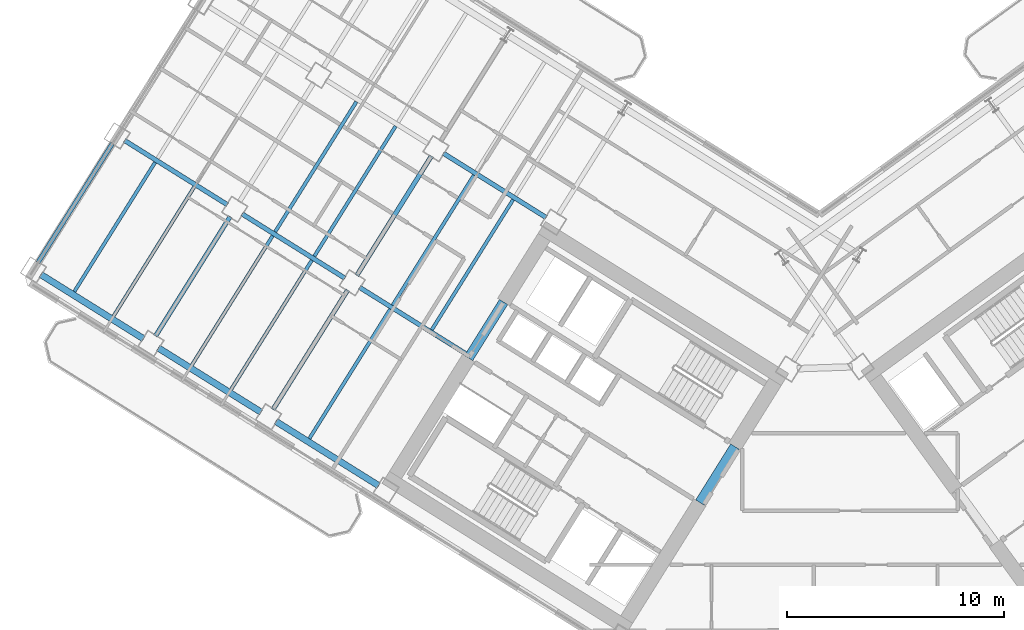
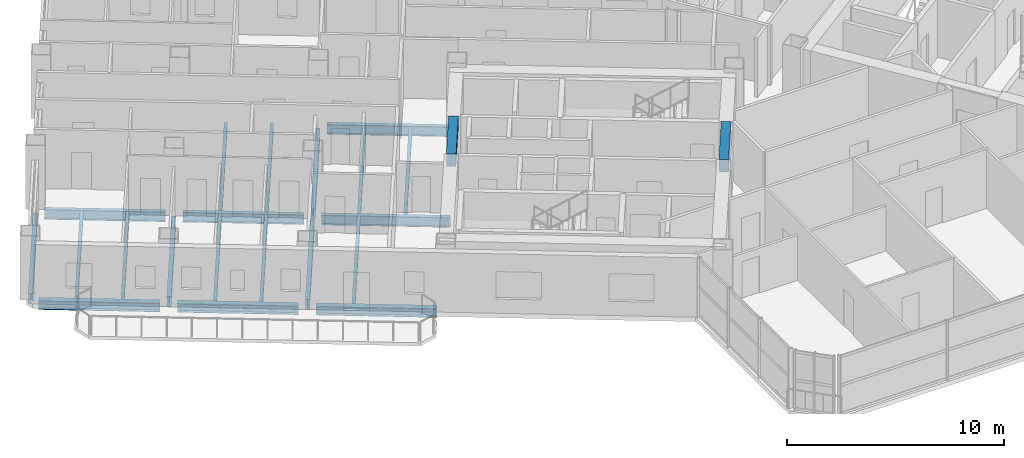
# One storey, part 5 of 21: 22 beams.
"""IFC4 building model written with IfcOpenShell, lengths in metres."""

from ifc_helpers import new_model, si_unit, direction, frame, origin, origin_2d, place, context, subcontext, project, spatial, rectangle, i_section, extrude, source, transform, mapped, material, material_profile, profile_set, type_object, element, save


model = new_model("IFC4")

# Units and contexts
model_context = context("Model", 3, precision=1e-05, world=origin(), true_north=direction((0.0, 1.0)))
body_context = subcontext(model_context, "Body", "Model", "MODEL_VIEW")
ifc_project = project(units=[si_unit("LENGTHUNIT", "METRE"), si_unit("AREAUNIT", "SQUARE_METRE"), si_unit("VOLUMEUNIT", "CUBIC_METRE"), si_unit("PLANEANGLEUNIT", "RADIAN"), si_unit("MASSUNIT", "GRAM", prefix="KILO")], contexts=[model_context])

# Site, building, storey
site_placement = place(None, origin())
site = spatial("IfcSite", under=ifc_project, at=site_placement, CompositionType="ELEMENT")
building_placement = place(site_placement, origin())
building = spatial("IfcBuilding", under=site, at=building_placement, Name="Tlacorven Tower", CompositionType="ELEMENT")
storey_placement = place(building_placement, frame((0.0, 0.0, 90.0)))
storey = spatial("IfcBuildingStorey", under=building, at=storey_placement, Name="L22", CompositionType="ELEMENT", Elevation=90.0)

# Beams
ifc_material_1 = material(Name="Concrete C60/75", Category="concrete")
ifc_material_profile_1 = material_profile(ifc_material_1, rectangle(XDim=0.449951171875, YDim=0.699951171875, at=origin_2d()), Name="RC 450X700")
ifc_profile_set_1 = profile_set([ifc_material_profile_1], Name="Concrete C60/75")
beam_type_1 = type_object("IfcBeamType", Name="BM-LNT-700", PredefinedType="LINTEL", material=ifc_profile_set_1)
shared_shape_1 = source(origin(), body_context, "Body", "SweptSolid", [
    extrude(rectangle(XDim=0.449951171875, YDim=0.699951171875, at=origin_2d()), origin(), (0.0, 0.0, 1.0), 3.050048828125),
])
beam_1_placement = place(storey_placement, frame((38.2998046875, 20.890625, 3.0), z_axis=(-0.529984549635, -0.848007297815, 0.0), x_axis=(0.848007297815, -0.529984549635, 0.0)))
element("IfcBeam", 1, at=beam_1_placement, inside=storey, type_object=beam_type_1, Name="L22 W core coupling lintel beam E1", PredefinedType="LINTEL", context=body_context, shape_type="MappedRepresentation", body=[
    mapped(shared_shape_1, transform((0.0, 0.0, 0.0), scale=1.0)),
])
shared_shape_2 = source(origin(), body_context, "Body", "SweptSolid", [
    extrude(rectangle(XDim=0.449951171875, YDim=0.699951171875, at=origin_2d()), origin(), (0.0, 0.0, 1.0), 3.0498046875),
])
beam_2_placement = place(storey_placement, frame((27.622802734375, 27.562255859375, 3.0), z_axis=(-0.529926983584, -0.848043272522, 0.0), x_axis=(0.848043272522, -0.529926983584, 0.0)))
element("IfcBeam", 2, at=beam_2_placement, inside=storey, type_object=beam_type_1, Name="L22 W core coupling lintel beam E2", PredefinedType="LINTEL", context=body_context, shape_type="MappedRepresentation", body=[
    mapped(shared_shape_2, transform((0.0, 0.0, 0.0), scale=1.0)),
])
ifc_material_2 = material(Name="Steel S355J2", Category="steel")
ifc_material_profile_2 = material_profile(ifc_material_2, i_section(OverallWidth=0.2099609375, OverallDepth=0.550048828125, WebThickness=0.010986328125, FlangeThickness=0.01708984375, at=origin_2d()), Name="IPE 550")
ifc_profile_set_2 = profile_set([ifc_material_profile_2], Name="Steel S355J2")
beam_type_2 = type_object("IfcBeamType", Name="BM-TWR-550", PredefinedType="BEAM", material=ifc_profile_set_2)
shared_shape_3 = source(origin(), body_context, "Body", "SweptSolid", [
    extrude(i_section(OverallWidth=0.2099609375, OverallDepth=0.550048828125, WebThickness=0.010986328125, FlangeThickness=0.01708984375, at=origin_2d()), origin(), (0.0, 0.0, 1.0), 5.599853515625),
])
for number, where, z_axis, x_axis, name in (
    (3, (29.588623046875, 31.46337890625, -0.52490234375), (-0.848047285686, 0.529920561254, 0.0), (-0.529920561254, -0.848047285686, 0.0), "L22 beam BM-L22-WL2-3"),
    (4, (20.292724609375, 28.6640625, -0.52490234375), (-0.848047285686, 0.529920561254, 0.0), (-0.529920561254, -0.848047285686, 0.0), "L22 beam BM-L22-WL3-4"),
):
    element("IfcBeam", number, at=place(storey_placement, frame(where, z_axis=z_axis, x_axis=x_axis)), inside=storey, type_object=beam_type_2, Name=name, PredefinedType="BEAM", context=body_context, shape_type="MappedRepresentation", body=[
        mapped(shared_shape_3, transform((0.0, 0.0, 0.0), scale=1.0)),
    ])
shared_shape_4 = source(origin(), body_context, "Body", "SweptSolid", [
    extrude(i_section(OverallWidth=0.2099609375, OverallDepth=0.550048828125, WebThickness=0.010986328125, FlangeThickness=0.01708984375, at=origin_2d()), origin(), (0.0, 0.0, 1.0), 5.960205078125),
])
beam_3_placement = place(storey_placement, frame((26.025634765625, 25.081787109375, -0.52490234375), z_axis=(-0.848042024898, 0.529928980153, 0.0), x_axis=(-0.529928980153, -0.848042024898, 0.0)))
element("IfcBeam", 5, at=beam_3_placement, inside=storey, type_object=beam_type_2, Name="L22 beam BM-L22-WL3-3", PredefinedType="BEAM", context=body_context, shape_type="MappedRepresentation", body=[
    mapped(shared_shape_4, transform((0.0, 0.0, 0.0), scale=1.0)),
])
shared_shape_5 = source(origin(), body_context, "Body", "SweptSolid", [
    extrude(i_section(OverallWidth=0.2099609375, OverallDepth=0.550048828125, WebThickness=0.010986328125, FlangeThickness=0.01708984375, at=origin_2d()), origin(), (0.0, 0.0, 1.0), 5.60009765625),
])
beam_4_placement = place(storey_placement, frame((14.865234375, 32.055419921875, -0.52490234375), z_axis=(-0.848027693204, 0.529951914384, 0.0), x_axis=(-0.529951914384, -0.848027693204, 0.0)))
element("IfcBeam", 6, at=beam_4_placement, inside=storey, type_object=beam_type_2, Name="L22 beam BM-L22-WL3-5", PredefinedType="BEAM", context=body_context, shape_type="MappedRepresentation", body=[
    mapped(shared_shape_5, transform((0.0, 0.0, 0.0), scale=1.0)),
])
ifc_material_profile_3 = material_profile(ifc_material_2, i_section(OverallWidth=0.300048828125, OverallDepth=0.489990234375, WebThickness=0.011962890625, FlangeThickness=0.02294921875, at=origin_2d()), Name="HEA 500")
ifc_profile_set_3 = profile_set([ifc_material_profile_3], Name="Steel S355J2")
beam_type_3 = type_object("IfcBeamType", Name="BM-SPN-500", PredefinedType="SPANDREL", material=ifc_profile_set_3)
shared_shape_6 = source(origin(), body_context, "Body", "SweptSolid", [
    extrude(i_section(OverallWidth=0.300048828125, OverallDepth=0.489990234375, WebThickness=0.011962890625, FlangeThickness=0.02294921875, at=origin_2d()), origin(), (0.0, 0.0, 1.0), 5.599853515625),
])
for number, where, z_axis, x_axis, name in (
    (7, (21.851806640625, 19.081787109375, -0.4951171875), (-0.848047285686, 0.529920561254, 0.0), (-0.529920561254, -0.848047285686, 0.0), "L22 beam BM-L22-WL4-3"),
    (8, (16.42431640625, 22.473388671875, -0.4951171875), (-0.848047285686, 0.529920561254, 0.0), (-0.529920561254, -0.848047285686, 0.0), "L22 beam BM-L22-WL4-4"),
    (9, (10.996826171875, 25.86474609375, -0.4951171875), (-0.848047285686, 0.529920561254, 0.0), (-0.529920561254, -0.848047285686, 0.0), "L22 beam BM-L22-WL4-5"),
):
    element("IfcBeam", number, at=place(storey_placement, frame(where, z_axis=z_axis, x_axis=x_axis)), inside=storey, type_object=beam_type_3, Name=name, PredefinedType="SPANDREL", context=body_context, shape_type="MappedRepresentation", body=[
        mapped(shared_shape_6, transform((0.0, 0.0, 0.0), scale=1.0)),
    ])
shared_shape_7 = source(origin(), body_context, "Body", "SweptSolid", [
    extrude(i_section(OverallWidth=0.2099609375, OverallDepth=0.550048828125, WebThickness=0.010986328125, FlangeThickness=0.01708984375, at=origin_2d()), origin(), (0.0, 0.0, 1.0), 6.500244140625),
])
beam_5_placement = place(storey_placement, frame((24.28857421875, 34.3037109375, -0.52490234375), z_axis=(-0.529921287515, -0.848046831866, 0.0), x_axis=(0.848046831866, -0.529921287515, 0.0)))
element("IfcBeam", 10, at=beam_5_placement, inside=storey, type_object=beam_type_2, Name="L22 beam BM-L22-WT4-2", PredefinedType="BEAM", context=body_context, shape_type="MappedRepresentation", body=[
    mapped(shared_shape_7, transform((0.0, 0.0, 0.0), scale=1.0)),
])
shared_shape_8 = source(origin(), body_context, "Body", "SweptSolid", [
    extrude(i_section(OverallWidth=0.2099609375, OverallDepth=0.550048828125, WebThickness=0.010986328125, FlangeThickness=0.01708984375, at=origin_2d()), origin(), (0.0, 0.0, 1.0), 6.5),
])
for number, where, z_axis, x_axis, name in (
    (11, (20.420166015625, 28.11279296875, -0.52490234375), (-0.529938166933, -0.848036284146, 0.0), (0.848036284146, -0.529938166933, 0.0), "L22 beam BM-L22-WT4-3"),
    (12, (14.992431640625, 31.50439453125, -0.52490234375), (-0.529894274829, -0.848063710757, 0.0), (0.848063710757, -0.529894274829, 0.0), "L22 beam BM-L22-WT5-3"),
):
    element("IfcBeam", number, at=place(storey_placement, frame(where, z_axis=z_axis, x_axis=x_axis)), inside=storey, type_object=beam_type_2, Name=name, PredefinedType="BEAM", context=body_context, shape_type="MappedRepresentation", body=[
        mapped(shared_shape_8, transform((0.0, 0.0, 0.0), scale=1.0)),
    ])
shared_shape_9 = source(origin(), body_context, "Body", "SweptSolid", [
    extrude(i_section(OverallWidth=0.2099609375, OverallDepth=0.550048828125, WebThickness=0.010986328125, FlangeThickness=0.01708984375, at=origin_2d()), origin(), (0.0, 0.0, 1.0), 6.499755859375),
])
beam_6_placement = place(storey_placement, frame((9.56494140625, 34.895751953125, -0.52490234375), z_axis=(-0.529911154058, -0.848053163902, 0.0), x_axis=(0.848053163902, -0.529911154058, 0.0)))
element("IfcBeam", 13, at=beam_6_placement, inside=storey, type_object=beam_type_2, Name="L22 beam BM-L22-WT6-3", PredefinedType="BEAM", context=body_context, shape_type="MappedRepresentation", body=[
    mapped(shared_shape_9, transform((0.0, 0.0, 0.0), scale=1.0)),
])
ifc_material_profile_4 = material_profile(ifc_material_2, i_section(OverallWidth=0.159912109375, OverallDepth=0.330078125, WebThickness=0.007568359375, FlangeThickness=0.011474609375, at=origin_2d()), Name="IPE 330")
ifc_profile_set_4 = profile_set([ifc_material_profile_4], Name="Steel S355J2")
beam_type_4 = type_object("IfcBeamType", Name="BM-JST-330", PredefinedType="JOIST", material=ifc_profile_set_4)
shared_shape_10 = source(origin(), body_context, "Body", "SweptSolid", [
    extrude(i_section(OverallWidth=0.159912109375, OverallDepth=0.330078125, WebThickness=0.007568359375, FlangeThickness=0.011474609375, at=origin_2d()), origin(), (0.0, 0.0, 1.0), 7.080078125),
])
for number, where, z_axis, x_axis, name in (
    (14, (28.060546875, 32.28857421875, -0.4150390625), (-0.529933847046, -0.848038983629, 0.0), (0.848038983629, -0.529933847046, 0.0), "L22 beam BM-L22-WJ3-2-1"),
    (15, (26.251220703125, 33.419189453125, -0.4150390625), (-0.529893550998, -0.848064163027, 0.0), (0.848064163027, -0.529893550998, 0.0), "L22 beam BM-L22-WJ3-2-2"),
    (16, (22.633056640625, 35.679931640625, -0.4150390625), (-0.529933847046, -0.848038983629, 0.0), (0.848038983629, -0.529933847046, 0.0), "L22 beam BM-L22-WJ4-2-1"),
):
    element("IfcBeam", number, at=place(storey_placement, frame(where, z_axis=z_axis, x_axis=x_axis)), inside=storey, type_object=beam_type_4, Name=name, PredefinedType="JOIST", context=body_context, shape_type="MappedRepresentation", body=[
        mapped(shared_shape_10, transform((0.0, 0.0, 0.0), scale=1.0)),
    ])
shared_shape_11 = source(origin(), body_context, "Body", "SweptSolid", [
    extrude(i_section(OverallWidth=0.159912109375, OverallDepth=0.330078125, WebThickness=0.007568359375, FlangeThickness=0.011474609375, at=origin_2d()), origin(), (0.0, 0.0, 1.0), 7.03515625),
])
for number, where, z_axis, x_axis, name in (
    (17, (22.3828125, 27.228271484375, -0.4150390625), (-0.529920952588, -0.848047041153, 0.0), (0.848047041153, -0.529920952588, 0.0), "L22 beam BM-L22-WJ3-3-2"),
    (18, (18.7646484375, 29.4892578125, -0.4150390625), (-0.529920952588, -0.848047041153, 0.0), (0.848047041153, -0.529920952588, 0.0), "L22 beam BM-L22-WJ4-3-1"),
    (19, (16.955322265625, 30.619873046875, -0.4150390625), (-0.529920952588, -0.848047041153, 0.0), (0.848047041153, -0.529920952588, 0.0), "L22 beam BM-L22-WJ4-3-2"),
    (20, (13.337158203125, 32.880859375, -0.4150390625), (-0.529920952588, -0.848047041153, 0.0), (0.848047041153, -0.529920952588, 0.0), "L22 beam BM-L22-WJ5-3-1"),
    (21, (11.52783203125, 34.01123046875, -0.4150390625), (-0.529920952588, -0.848047041153, 0.0), (0.848047041153, -0.529920952588, 0.0), "L22 beam BM-L22-WJ5-3-2"),
):
    element("IfcBeam", number, at=place(storey_placement, frame(where, z_axis=z_axis, x_axis=x_axis)), inside=storey, type_object=beam_type_4, Name=name, PredefinedType="JOIST", context=body_context, shape_type="MappedRepresentation", body=[
        mapped(shared_shape_11, transform((0.0, 0.0, 0.0), scale=1.0)),
    ])
shared_shape_12 = source(origin(), body_context, "Body", "SweptSolid", [
    extrude(i_section(OverallWidth=0.159912109375, OverallDepth=0.330078125, WebThickness=0.007568359375, FlangeThickness=0.011474609375, at=origin_2d()), origin(), (0.0, 0.0, 1.0), 7.079833984375),
])
beam_7_placement = place(storey_placement, frame((20.82373046875, 36.810546875, -0.4150390625), z_axis=(-0.529909047265, -0.848054480341, 0.0), x_axis=(0.848054480341, -0.529909047265, 0.0)))
element("IfcBeam", 22, at=beam_7_placement, inside=storey, type_object=beam_type_4, Name="L22 beam BM-L22-WJ4-2-2", PredefinedType="JOIST", context=body_context, shape_type="MappedRepresentation", body=[
    mapped(shared_shape_12, transform((0.0, 0.0, 0.0), scale=1.0)),
])

save(model, "model.ifc")
